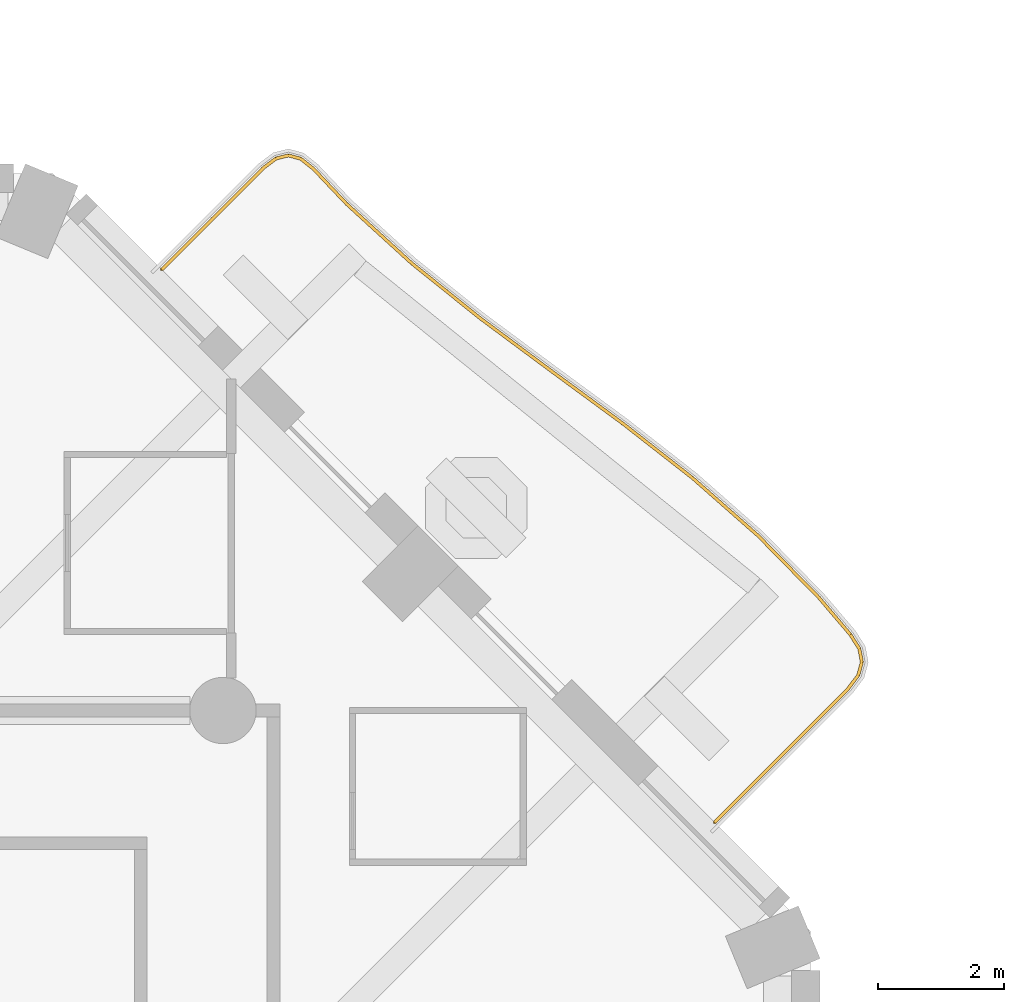
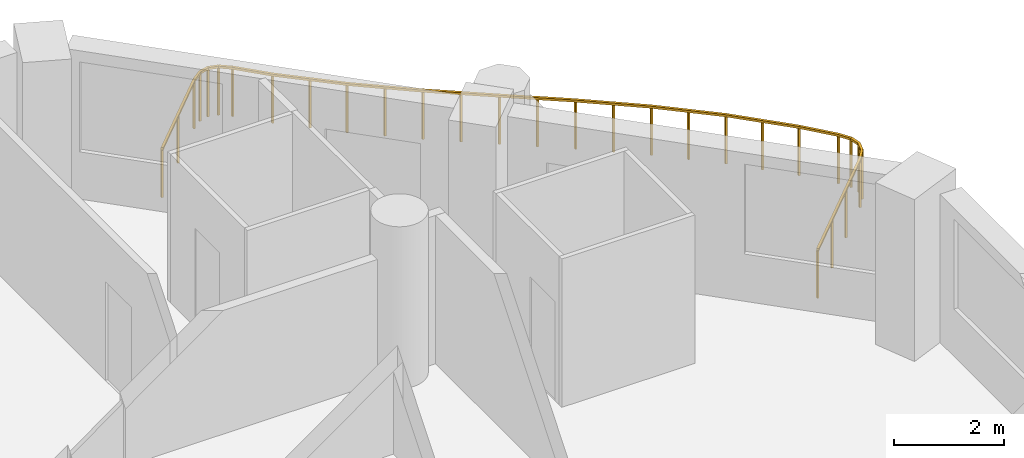
# One storey, part 19 of 20: 1 railing.
"""IFC4 building model written with IfcOpenShell, lengths in metres."""

from ifc_helpers import new_model, si_unit, direction, frame, origin, origin_2d, place, context, subcontext, project, spatial, rectangle, extrude, material, type_object, element, save


model = new_model("IFC4")

# Units and contexts
model_context = context("Model", 3, precision=1e-05, world=origin(), true_north=direction((0.0, 1.0)))
body_context = subcontext(model_context, "Body", "Model", "MODEL_VIEW")
ifc_project = project(units=[si_unit("LENGTHUNIT", "METRE"), si_unit("AREAUNIT", "SQUARE_METRE"), si_unit("VOLUMEUNIT", "CUBIC_METRE"), si_unit("PLANEANGLEUNIT", "RADIAN"), si_unit("MASSUNIT", "GRAM", prefix="KILO")], contexts=[model_context])

# Site, building, storey
site_placement = place(None, origin())
site = spatial("IfcSite", under=ifc_project, at=site_placement, CompositionType="ELEMENT")
building_placement = place(site_placement, origin())
building = spatial("IfcBuilding", under=site, at=building_placement, Name="Cypress Arch Tower", CompositionType="ELEMENT")
storey_placement = place(building_placement, frame((0.0, 0.0, 116.699951171875)))
storey = spatial("IfcBuildingStorey", under=building, at=storey_placement, Name="L24", CompositionType="ELEMENT", Elevation=116.699951171875)

# Railing
ifc_material = material(Name="Powder-coated steel posts and rods, 100 mm clear between rods", Category="steel")
railing_type = type_object("IfcRailingType", Name="Balcony guard GR1100", PredefinedType="GUARDRAIL", material=ifc_material)
railing_placement = place(storey_placement, frame((14.33251953125, 24.479736328125, 0.0)))
element("IfcRailing", 1, at=railing_placement, inside=storey, type_object=railing_type, Name="Balcony guard L24-A07", PredefinedType="GUARDRAIL", context=body_context, shape_type="SweptSolid", body=[
    extrude(rectangle(XDim=0.050048828125, YDim=0.050048828125, at=origin_2d()), frame((0.0, 0.0, 1.0751953125), z_axis=(0.707106781187, 0.707106781187, 0.0), x_axis=(-0.707106781187, 0.707106781187, 0.0)), (0.0, 0.0, 1.0), 2.262939453125),
    extrude(rectangle(XDim=0.050048828125, YDim=0.050048828125, at=origin_2d()), frame((1.60009765625, 1.60009765625, 1.0751953125), z_axis=(0.800224831347, 0.599700107801, 0.0), x_axis=(-0.599700107801, 0.800224831347, 0.0)), (0.0, 0.0, 1.0), 0.260498046875),
    extrude(rectangle(XDim=0.050048828125, YDim=0.050048828125, at=origin_2d()), frame((1.80859375, 1.75634765625, 1.0751953125), z_axis=(0.971967708682, 0.235114383397, 0.0), x_axis=(-0.235114383397, 0.971967708682, 0.0)), (0.0, 0.0, 1.0), 0.201416015625),
    extrude(rectangle(XDim=0.050048828125, YDim=0.050048828125, at=origin_2d()), frame((2.00439453125, 1.8037109375, 1.0751953125), z_axis=(0.965015486922, -0.262192887013, 0.0), x_axis=(0.262192887013, 0.965015486922, 0.0)), (0.0, 0.0, 1.0), 0.201171875),
    extrude(rectangle(XDim=0.050048828125, YDim=0.050048828125, at=origin_2d()), frame((2.198486328125, 1.7509765625, 1.0751953125), z_axis=(0.782601054176, -0.622523565822, 0.0), x_axis=(0.622523565822, 0.782601054176, 0.0)), (0.0, 0.0, 1.0), 0.2607421875),
    extrude(rectangle(XDim=0.050048828125, YDim=0.050048828125, at=origin_2d()), frame((2.402587890625, 1.588623046875, 1.0751953125), z_axis=(0.686764870564, -0.726879641041, 0.0), x_axis=(0.726879641041, 0.686764870564, 0.0)), (0.0, 0.0, 1.0), 0.7607421875),
    extrude(rectangle(XDim=0.050048828125, YDim=0.050048828125, at=origin_2d()), frame((2.925048828125, 1.03564453125, 1.0751953125), z_axis=(0.738842705585, -0.673877923963, 0.0), x_axis=(0.673877923963, 0.738842705585, 0.0)), (0.0, 0.0, 1.0), 1.390380859375),
    extrude(rectangle(XDim=0.050048828125, YDim=0.050048828125, at=origin_2d()), frame((3.952392578125, 0.0986328125, 1.0751953125), z_axis=(0.779912732651, -0.625888272336, 0.0), x_axis=(0.625888272336, 0.779912732651, 0.0)), (0.0, 0.0, 1.0), 1.396484375),
    extrude(rectangle(XDim=0.050048828125, YDim=0.050048828125, at=origin_2d()), frame((5.04150390625, -0.775390625, 1.0751953125), z_axis=(0.803310335196, -0.595560664724, 0.0), x_axis=(0.595560664724, 0.803310335196, 0.0)), (0.0, 0.0, 1.0), 1.40185546875),
    extrude(rectangle(XDim=0.050048828125, YDim=0.050048828125, at=origin_2d()), frame((6.167724609375, -1.6103515625, 1.0751953125), z_axis=(0.805961559768, -0.591967874277, 0.0), x_axis=(0.591967874277, 0.805961559768, 0.0)), (0.0, 0.0, 1.0), 1.40087890625),
    extrude(rectangle(XDim=0.050048828125, YDim=0.050048828125, at=origin_2d()), frame((7.296875, -2.439697265625, 1.0751953125), z_axis=(0.787859703603, -0.615854761643, 0.0), x_axis=(0.615854761643, 0.787859703603, 0.0)), (0.0, 0.0, 1.0), 1.393798828125),
    extrude(rectangle(XDim=0.050048828125, YDim=0.050048828125, at=origin_2d()), frame((8.39501953125, -3.298095703125, 1.0751953125), z_axis=(0.75078343671, -0.66054843211, 0.0), x_axis=(0.66054843211, 0.75078343671, 0.0)), (0.0, 0.0, 1.0), 1.38525390625),
    extrude(rectangle(XDim=0.050048828125, YDim=0.050048828125, at=origin_2d()), frame((9.43505859375, -4.213134765625, 1.0751953125), z_axis=(0.700451053304, -0.713700442711, 0.0), x_axis=(0.713700442711, 0.700451053304, 0.0)), (0.0, 0.0, 1.0), 1.382080078125),
    extrude(rectangle(XDim=0.050048828125, YDim=0.050048828125, at=origin_2d()), frame((10.403076171875, -5.199462890625, 1.0751953125), z_axis=(0.648245586072, -0.761431323323, 0.0), x_axis=(0.761431323323, 0.648245586072, 0.0)), (0.0, 0.0, 1.0), 0.75927734375),
    extrude(rectangle(XDim=0.050048828125, YDim=0.050048828125, at=origin_2d()), frame((10.895263671875, -5.777587890625, 1.0751953125), z_axis=(0.535095677287, -0.844791463113, 0.0), x_axis=(0.844791463113, 0.535095677287, 0.0)), (0.0, 0.0, 1.0), 0.266357421875),
    extrude(rectangle(XDim=0.050048828125, YDim=0.050048828125, at=origin_2d()), frame((11.037841796875, -6.002685546875, 1.0751953125), z_axis=(0.186485045284, -0.982457799544, 0.0), x_axis=(0.982457799544, 0.186485045284, 0.0)), (0.0, 0.0, 1.0), 0.214599609375),
    extrude(rectangle(XDim=0.050048828125, YDim=0.050048828125, at=origin_2d()), frame((11.077880859375, -6.213623046875, 1.0751953125), z_axis=(-0.263598072534, -0.964632601645, 0.0), x_axis=(0.964632601645, -0.263598072534, 0.0)), (0.0, 0.0, 1.0), 0.21484375),
    extrude(rectangle(XDim=0.050048828125, YDim=0.050048828125, at=origin_2d()), frame((11.021240234375, -6.4208984375, 1.0751953125), z_axis=(-0.601757109965, -0.798679147472, 0.0), x_axis=(0.798679147472, -0.601757109965, 0.0)), (0.0, 0.0, 1.0), 0.2666015625),
    extrude(rectangle(XDim=0.050048828125, YDim=0.050048828125, at=origin_2d()), frame((10.86083984375, -6.6337890625, 1.0751953125), z_axis=(-0.707106781187, -0.707106781187, 0.0), x_axis=(0.707106781187, -0.707106781187, 0.0)), (0.0, 0.0, 1.0), 2.989013671875),
    extrude(rectangle(XDim=0.0400390625, YDim=0.0400390625, at=origin_2d()), origin(), (0.0, 0.0, 1.0), 1.050048828125),
    extrude(rectangle(XDim=0.0400390625, YDim=0.0400390625, at=origin_2d()), frame((0.800048828125, 0.800048828125, 0.0)), (0.0, 0.0, 1.0), 1.050048828125),
    extrude(rectangle(XDim=0.0400390625, YDim=0.0400390625, at=origin_2d()), frame((1.60009765625, 1.60009765625, 0.0)), (0.0, 0.0, 1.0), 1.050048828125),
    extrude(rectangle(XDim=0.0400390625, YDim=0.0400390625, at=origin_2d()), frame((1.80859375, 1.75634765625, 0.0)), (0.0, 0.0, 1.0), 1.050048828125),
    extrude(rectangle(XDim=0.0400390625, YDim=0.0400390625, at=origin_2d()), frame((2.00439453125, 1.8037109375, 0.0)), (0.0, 0.0, 1.0), 1.050048828125),
    extrude(rectangle(XDim=0.0400390625, YDim=0.0400390625, at=origin_2d()), frame((2.198486328125, 1.7509765625, 0.0)), (0.0, 0.0, 1.0), 1.050048828125),
    extrude(rectangle(XDim=0.0400390625, YDim=0.0400390625, at=origin_2d()), frame((2.402587890625, 1.588623046875, 0.0)), (0.0, 0.0, 1.0), 1.050048828125),
    extrude(rectangle(XDim=0.0400390625, YDim=0.0400390625, at=origin_2d()), frame((2.925048828125, 1.03564453125, 0.0)), (0.0, 0.0, 1.0), 1.050048828125),
    extrude(rectangle(XDim=0.0400390625, YDim=0.0400390625, at=origin_2d()), frame((3.438720703125, 0.567138671875, 0.0)), (0.0, 0.0, 1.0), 1.050048828125),
    extrude(rectangle(XDim=0.0400390625, YDim=0.0400390625, at=origin_2d()), frame((3.952392578125, 0.0986328125, 0.0)), (0.0, 0.0, 1.0), 1.050048828125),
    extrude(rectangle(XDim=0.0400390625, YDim=0.0400390625, at=origin_2d()), frame((4.4970703125, -0.33837890625, 0.0)), (0.0, 0.0, 1.0), 1.050048828125),
    extrude(rectangle(XDim=0.0400390625, YDim=0.0400390625, at=origin_2d()), frame((5.04150390625, -0.775390625, 0.0)), (0.0, 0.0, 1.0), 1.050048828125),
    extrude(rectangle(XDim=0.0400390625, YDim=0.0400390625, at=origin_2d()), frame((5.6044921875, -1.19287109375, 0.0)), (0.0, 0.0, 1.0), 1.050048828125),
    extrude(rectangle(XDim=0.0400390625, YDim=0.0400390625, at=origin_2d()), frame((6.167724609375, -1.6103515625, 0.0)), (0.0, 0.0, 1.0), 1.050048828125),
    extrude(rectangle(XDim=0.0400390625, YDim=0.0400390625, at=origin_2d()), frame((6.732421875, -2.02490234375, 0.0)), (0.0, 0.0, 1.0), 1.050048828125),
    extrude(rectangle(XDim=0.0400390625, YDim=0.0400390625, at=origin_2d()), frame((7.296875, -2.439697265625, 0.0)), (0.0, 0.0, 1.0), 1.050048828125),
    extrude(rectangle(XDim=0.0400390625, YDim=0.0400390625, at=origin_2d()), frame((7.845947265625, -2.868896484375, 0.0)), (0.0, 0.0, 1.0), 1.050048828125),
    extrude(rectangle(XDim=0.0400390625, YDim=0.0400390625, at=origin_2d()), frame((8.39501953125, -3.298095703125, 0.0)), (0.0, 0.0, 1.0), 1.050048828125),
    extrude(rectangle(XDim=0.0400390625, YDim=0.0400390625, at=origin_2d()), frame((8.9150390625, -3.755615234375, 0.0)), (0.0, 0.0, 1.0), 1.050048828125),
    extrude(rectangle(XDim=0.0400390625, YDim=0.0400390625, at=origin_2d()), frame((9.43505859375, -4.213134765625, 0.0)), (0.0, 0.0, 1.0), 1.050048828125),
    extrude(rectangle(XDim=0.0400390625, YDim=0.0400390625, at=origin_2d()), frame((9.9189453125, -4.706298828125, 0.0)), (0.0, 0.0, 1.0), 1.050048828125),
    extrude(rectangle(XDim=0.0400390625, YDim=0.0400390625, at=origin_2d()), frame((10.403076171875, -5.199462890625, 0.0)), (0.0, 0.0, 1.0), 1.050048828125),
    extrude(rectangle(XDim=0.0400390625, YDim=0.0400390625, at=origin_2d()), frame((10.895263671875, -5.777587890625, 0.0)), (0.0, 0.0, 1.0), 1.050048828125),
    extrude(rectangle(XDim=0.0400390625, YDim=0.0400390625, at=origin_2d()), frame((11.037841796875, -6.002685546875, 0.0)), (0.0, 0.0, 1.0), 1.050048828125),
    extrude(rectangle(XDim=0.0400390625, YDim=0.0400390625, at=origin_2d()), frame((11.077880859375, -6.213623046875, 0.0)), (0.0, 0.0, 1.0), 1.050048828125),
    extrude(rectangle(XDim=0.0400390625, YDim=0.0400390625, at=origin_2d()), frame((11.021240234375, -6.4208984375, 0.0)), (0.0, 0.0, 1.0), 1.050048828125),
    extrude(rectangle(XDim=0.0400390625, YDim=0.0400390625, at=origin_2d()), frame((10.86083984375, -6.6337890625, 0.0)), (0.0, 0.0, 1.0), 1.050048828125),
    extrude(rectangle(XDim=0.0400390625, YDim=0.0400390625, at=origin_2d()), frame((10.15625, -7.33837890625, 0.0)), (0.0, 0.0, 1.0), 1.050048828125),
    extrude(rectangle(XDim=0.0400390625, YDim=0.0400390625, at=origin_2d()), frame((9.451904296875, -8.042724609375, 0.0)), (0.0, 0.0, 1.0), 1.050048828125),
    extrude(rectangle(XDim=0.0400390625, YDim=0.0400390625, at=origin_2d()), frame((8.747314453125, -8.747314453125, 0.0)), (0.0, 0.0, 1.0), 1.050048828125),
])

save(model, "model.ifc")
